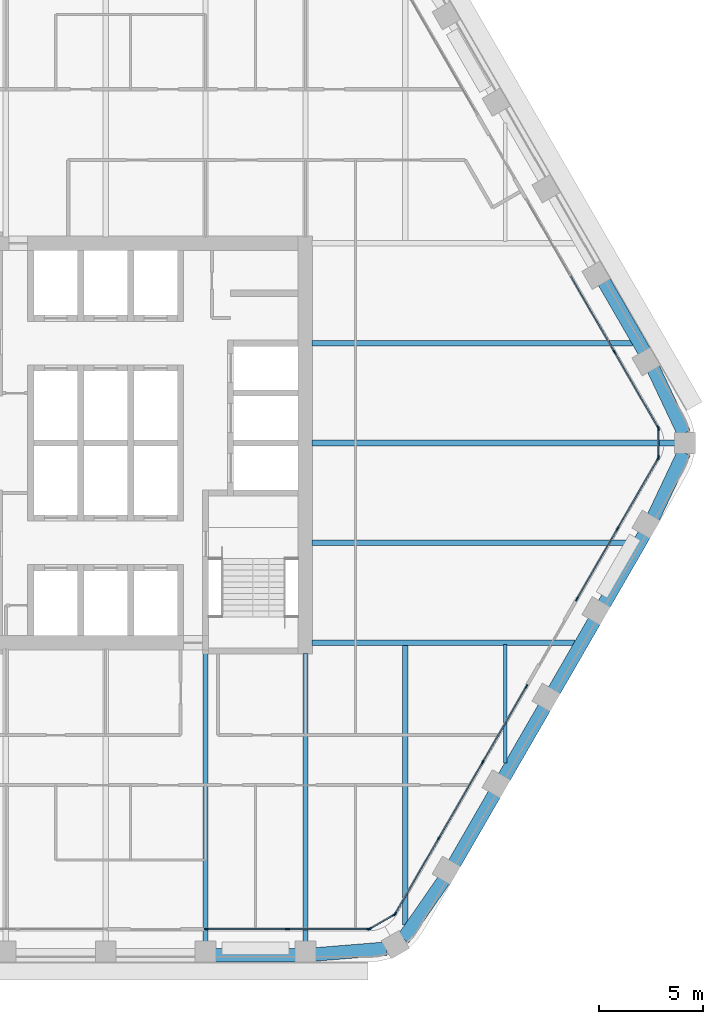
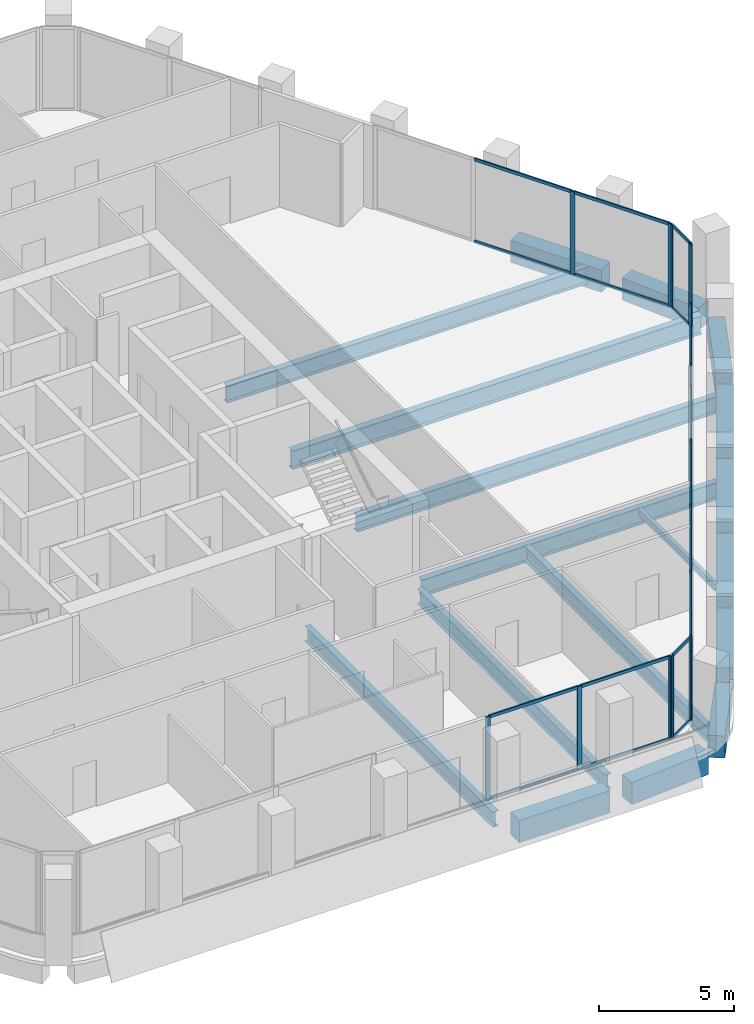
# One storey, part 4 of 15: 38 members, 18 beams, 6 elements without a shape of their own.
"""IFC4 building model written with IfcOpenShell, lengths in metres."""

from ifc_helpers import new_model, si_unit, direction, frame, origin, origin_2d, place, context, subcontext, project, spatial, rectangle, i_section, extrude, material, material_profile, profile_set, type_object, element, aggregate, save


model = new_model("IFC4")

# Units and contexts
model_context = context("Model", 3, precision=1e-05, world=origin(), true_north=direction((0.0, 1.0)))
body_context = subcontext(model_context, "Body", "Model", "MODEL_VIEW")
ifc_project = project(units=[si_unit("LENGTHUNIT", "METRE"), si_unit("AREAUNIT", "SQUARE_METRE"), si_unit("VOLUMEUNIT", "CUBIC_METRE"), si_unit("PLANEANGLEUNIT", "RADIAN"), si_unit("MASSUNIT", "GRAM", prefix="KILO")], contexts=[model_context])

# Site, building, storey
site_placement = place(None, origin())
site = spatial("IfcSite", under=ifc_project, at=site_placement, CompositionType="ELEMENT")
building_placement = place(site_placement, origin())
building = spatial("IfcBuilding", under=site, at=building_placement, Name="Kolab Exchange Tower", CompositionType="ELEMENT")
storey_placement = place(building_placement, frame((0.0, 0.0, 173.89990234375)))
storey = spatial("IfcBuildingStorey", under=building, at=storey_placement, Name="L36", CompositionType="ELEMENT", Elevation=173.89990234375)

# Beams
ifc_material_1 = material(Name="Steel S355", Category="steel")
ifc_material_profile_1 = material_profile(ifc_material_1, i_section(OverallWidth=0.1650390625, OverallDepth=0.31005859375, WebThickness=0.005859375, FlangeThickness=0.009765625, at=origin_2d()), Name="W310X39")
ifc_profile_set_1 = profile_set([ifc_material_profile_1], Name="Steel S355")
beam_type_1 = type_object("IfcBeamType", Name="FLOOR BEAM W310X39", PredefinedType="BEAM", material=ifc_profile_set_1)
beam_1_placement = place(storey_placement, frame((19.199951171875, -15.36767578125, -0.304931640625), z_axis=(0.0, 1.0, 0.0), x_axis=(-1.0, 0.0, 0.0)))
element("IfcBeam", 1, at=beam_1_placement, inside=storey, type_object=beam_type_1, Name="beam/L36/fr/022", PredefinedType="BEAM", context=body_context, shape_type="SweptSolid", body=[
    extrude(i_section(OverallWidth=0.1650390625, OverallDepth=0.31005859375, WebThickness=0.005859375, FlangeThickness=0.009765625, at=origin_2d()), origin(), (0.0, 0.0, 1.0), 5.674072265625),
])
ifc_material_profile_2 = material_profile(ifc_material_1, i_section(OverallWidth=0.25390625, OverallDepth=0.68408203125, WebThickness=0.012451171875, FlangeThickness=0.018798828125, at=origin_2d()), Name="W690X140")
ifc_profile_set_2 = profile_set([ifc_material_profile_2], Name="Steel S355")
beam_type_2 = type_object("IfcBeamType", Name="FLOOR BEAM W690X140", PredefinedType="BEAM", material=ifc_profile_set_2)
for number, where, z_axis, x_axis, name in (
    (2, (4.800048828125, -23.9814453125, -0.491943359375), (0.0, 1.0, 0.0), (-1.0, 0.0, 0.0), "beam/L36/fr/013"),
    (3, (9.60009765625, -23.9814453125, -0.491943359375), (0.0, 1.0, 0.0), (-1.0, 0.0, 0.0), "beam/L36/fr/015"),
):
    element("IfcBeam", number, at=place(storey_placement, frame(where, z_axis=z_axis, x_axis=x_axis)), inside=storey, type_object=beam_type_2, Name=name, PredefinedType="BEAM", context=body_context, shape_type="SweptSolid", body=[
        extrude(i_section(OverallWidth=0.25390625, OverallDepth=0.68408203125, WebThickness=0.012451171875, FlangeThickness=0.018798828125, at=origin_2d()), origin(), (0.0, 0.0, 1.0), 13.871337890625),
    ])
beam_2_placement = place(storey_placement, frame((14.39990234375, -23.15576171875, -0.491943359375), z_axis=(0.0, 1.0, 0.0), x_axis=(-1.0, 0.0, 0.0)))
element("IfcBeam", 4, at=beam_2_placement, inside=storey, type_object=beam_type_2, Name="beam/L36/fr/020", PredefinedType="BEAM", context=body_context, shape_type="SweptSolid", body=[
    extrude(i_section(OverallWidth=0.25390625, OverallDepth=0.68408203125, WebThickness=0.012451171875, FlangeThickness=0.018798828125, at=origin_2d()), origin(), (0.0, 0.0, 1.0), 13.462158203125),
])
ifc_material_profile_3 = material_profile(ifc_material_1, i_section(OverallWidth=0.26708984375, OverallDepth=0.761962890625, WebThickness=0.014404296875, FlangeThickness=0.021484375, at=origin_2d()), Name="W760X173")
ifc_profile_set_3 = profile_set([ifc_material_profile_3], Name="Steel S355")
beam_type_3 = type_object("IfcBeamType", Name="FLOOR BEAM W760X173", PredefinedType="BEAM", material=ifc_profile_set_3)
for number, where, z_axis, x_axis, name in (
    (5, (9.909912109375, -4.800048828125, -0.531005859375), (1.0, 0.0, 0.0), (0.0, 1.0, 0.0), "beam/L36/fr/017"),
    (6, (9.909912109375, 4.800048828125, -0.531005859375), (1.0, 0.0, 0.0), (0.0, 1.0, 0.0), "beam/L36/fr/019"),
):
    element("IfcBeam", number, at=place(storey_placement, frame(where, z_axis=z_axis, x_axis=x_axis)), inside=storey, type_object=beam_type_3, Name=name, PredefinedType="BEAM", context=body_context, shape_type="SweptSolid", body=[
        extrude(i_section(OverallWidth=0.26708984375, OverallDepth=0.761962890625, WebThickness=0.014404296875, FlangeThickness=0.021484375, at=origin_2d()), origin(), (0.0, 0.0, 1.0), 15.408203125),
    ])
ifc_material_profile_4 = material_profile(ifc_material_1, i_section(OverallWidth=0.2919921875, OverallDepth=0.840087890625, WebThickness=0.0146484375, FlangeThickness=0.021728515625, at=origin_2d()), Name="W840X193")
ifc_profile_set_4 = profile_set([ifc_material_profile_4], Name="Steel S355")
beam_type_4 = type_object("IfcBeamType", Name="FLOOR BEAM W840X193", PredefinedType="BEAM", material=ifc_profile_set_4)
beam_3_placement = place(storey_placement, frame((9.909912109375, 0.0, -0.56982421875), z_axis=(1.0, 0.0, 0.0), x_axis=(0.0, 1.0, 0.0)))
element("IfcBeam", 7, at=beam_3_placement, inside=storey, type_object=beam_type_4, Name="beam/L36/fr/018", PredefinedType="BEAM", context=body_context, shape_type="SweptSolid", body=[
    extrude(i_section(OverallWidth=0.2919921875, OverallDepth=0.840087890625, WebThickness=0.0146484375, FlangeThickness=0.021728515625, at=origin_2d()), origin(), (0.0, 0.0, 1.0), 17.466064453125),
])
ifc_material_profile_5 = material_profile(ifc_material_1, i_section(OverallWidth=0.26708984375, OverallDepth=0.761962890625, WebThickness=0.014404296875, FlangeThickness=0.021484375, at=origin_2d()), Name="W760X173")
ifc_profile_set_5 = profile_set([ifc_material_profile_5], Name="Steel S355")
beam_type_5 = type_object("IfcBeamType", Name="FLOOR GIRDER W760X173", PredefinedType="BEAM", material=ifc_profile_set_5)
beam_4_placement = place(storey_placement, frame((9.909912109375, -9.60009765625, -0.531005859375), z_axis=(1.0, 0.0, 0.0), x_axis=(0.0, 1.0, 0.0)))
element("IfcBeam", 8, at=beam_4_placement, inside=storey, type_object=beam_type_5, Name="beam/L36/gd/002", PredefinedType="BEAM", context=body_context, shape_type="SweptSolid", body=[
    extrude(i_section(OverallWidth=0.26708984375, OverallDepth=0.761962890625, WebThickness=0.014404296875, FlangeThickness=0.021484375, at=origin_2d()), origin(), (0.0, 0.0, 1.0), 12.636962890625),
])
ifc_material_2 = material(Name="Concrete C60/75", Category="concrete")
ifc_material_profile_6 = material_profile(ifc_material_2, rectangle(XDim=0.64990234375, YDim=1.0, at=origin_2d()), Name="RC650X1000")
ifc_profile_set_6 = profile_set([ifc_material_profile_6], Name="Concrete C60/75")
beam_type_6 = type_object("IfcBeamType", Name="SPANDREL BEAM 650X1000 C60/75", PredefinedType="BEAM", material=ifc_profile_set_6)
beam_5_placement = place(storey_placement, frame((23.948486328125, 7.7529296875, -0.64990234375), z_axis=(0.499996613652, -0.866027358884, 0.0), x_axis=(0.866027358884, 0.499996613652, 0.0)))
element("IfcBeam", 9, at=beam_5_placement, inside=storey, type_object=beam_type_6, Name="beam/L36/sp/F2-05", PredefinedType="BEAM", context=body_context, shape_type="SweptSolid", body=[
    extrude(rectangle(XDim=0.64990234375, YDim=1.0, at=origin_2d()), origin(), (0.0, 0.0, 1.0), 3.8798828125),
])
for number, where, z_axis, x_axis, name in (
    (10, (26.316162109375, 3.5771484375, -0.64990234375), (0.428177731975, -0.903694544545, 0.0), (0.903694544545, 0.428177731975, 0.0), "beam/L36/sp/F2-06"),
    (11, (27.791259765625, -0.4638671875, -0.64990234375), (-0.428177731975, -0.903694544545, 0.0), (0.903694544545, -0.428177731975, 0.0), "beam/L36/sp/F3-01"),
):
    element("IfcBeam", number, at=place(storey_placement, frame(where, z_axis=z_axis, x_axis=x_axis)), inside=storey, type_object=beam_type_6, Name=name, PredefinedType="BEAM", context=body_context, shape_type="SweptSolid", body=[
        extrude(rectangle(XDim=0.64990234375, YDim=1.0, at=origin_2d()), origin(), (0.0, 0.0, 1.0), 3.445068359375),
    ])
for number, where, z_axis, x_axis, name in (
    (12, (25.888427734375, -4.392822265625, -0.64990234375), (-0.499996613652, -0.866027358884, 0.0), (0.866027358884, -0.499996613652, 0.0), "beam/L36/sp/F3-02"),
    (13, (23.488525390625, -8.5498046875, -0.64990234375), (-0.499996613652, -0.866027358884, 0.0), (0.866027358884, -0.499996613652, 0.0), "beam/L36/sp/F3-03"),
):
    element("IfcBeam", number, at=place(storey_placement, frame(where, z_axis=z_axis, x_axis=x_axis)), inside=storey, type_object=beam_type_6, Name=name, PredefinedType="BEAM", context=body_context, shape_type="SweptSolid", body=[
        extrude(rectangle(XDim=0.64990234375, YDim=1.0, at=origin_2d()), origin(), (0.0, 0.0, 1.0), 3.8798828125),
    ])
beam_6_placement = place(storey_placement, frame((21.088623046875, -12.70654296875, -0.64990234375), z_axis=(-0.50001655835, -0.866015843605, 0.0), x_axis=(0.866015843605, -0.50001655835, 0.0)))
element("IfcBeam", 14, at=beam_6_placement, inside=storey, type_object=beam_type_6, Name="beam/L36/sp/F3-04", PredefinedType="BEAM", context=body_context, shape_type="SweptSolid", body=[
    extrude(rectangle(XDim=0.64990234375, YDim=1.0, at=origin_2d()), origin(), (0.0, 0.0, 1.0), 3.880126953125),
])
beam_7_placement = place(storey_placement, frame((18.6884765625, -16.863525390625, -0.64990234375), z_axis=(-0.499996613652, -0.866027358884, 0.0), x_axis=(0.866027358884, -0.499996613652, 0.0)))
element("IfcBeam", 15, at=beam_7_placement, inside=storey, type_object=beam_type_6, Name="beam/L36/sp/F3-05", PredefinedType="BEAM", context=body_context, shape_type="SweptSolid", body=[
    extrude(rectangle(XDim=0.64990234375, YDim=1.0, at=origin_2d()), origin(), (0.0, 0.0, 1.0), 3.8798828125),
])
for number, where, z_axis, x_axis, name in (
    (16, (16.256103515625, -21.001953125, -0.64990234375), (-0.568572281073, -0.822633309073, 0.0), (0.822633309073, -0.568572281073, 0.0), "beam/L36/sp/F3-06"),
    (17, (13.493896484375, -24.2998046875, -0.64990234375), (-0.996708497182, -0.081068931445, 0.0), (0.081068931445, -0.996708497182, 0.0), "beam/L36/sp/F4-01"),
):
    element("IfcBeam", number, at=place(storey_placement, frame(where, z_axis=z_axis, x_axis=x_axis)), inside=storey, type_object=beam_type_6, Name=name, PredefinedType="BEAM", context=body_context, shape_type="SweptSolid", body=[
        extrude(rectangle(XDim=0.64990234375, YDim=1.0, at=origin_2d()), origin(), (0.0, 0.0, 1.0), 3.445068359375),
    ])
beam_8_placement = place(storey_placement, frame((9.139892578125, -24.616455078125, -0.64990234375), z_axis=(-1.0, 0.0, 0.0), x_axis=(0.0, -1.0, 0.0)))
element("IfcBeam", 18, at=beam_8_placement, inside=storey, type_object=beam_type_6, Name="beam/L36/sp/F4-02", PredefinedType="BEAM", context=body_context, shape_type="SweptSolid", body=[
    extrude(rectangle(XDim=0.64990234375, YDim=1.0, at=origin_2d()), origin(), (0.0, 0.0, 1.0), 3.8798828125),
])

# Curtain wall, members
ifc_material_3 = material(Name="Aluminium EN AW-6063 T6", Category="aluminium")
curtain_wall_type = type_object("IfcCurtainWallType", Name="UNITISED UPPER MID ZONE CURTAIN WALL", PredefinedType="NOTDEFINED", material=ifc_material_3)
curtain_wall_1_placement = place(storey_placement, origin())
curtain_wall_1 = element("IfcCurtainWall", 19, at=curtain_wall_1_placement, inside=storey, type_object=curtain_wall_type, Name="cw/L36/F2-2", PredefinedType="NOTDEFINED")
ifc_material_profile_7 = material_profile(ifc_material_3, rectangle(XDim=0.06005859375, YDim=0.199951171875, at=origin_2d()), Name="RECT 60X200")
ifc_profile_set_7 = profile_set([ifc_material_profile_7], Name="Aluminium EN AW-6063 T6")
member_type_1 = type_object("IfcMemberType", Name="UNITISED UPPER MID ZONE MULLION 60 X 200", PredefinedType="MULLION", material=ifc_profile_set_7)
member_1_placement = place(storey_placement, frame((24.454345703125, 4.366943359375, 0.0), z_axis=(0.0, 0.0, 1.0), x_axis=(0.866025427826, 0.499999958358, 0.0)))
member_1 = element("IfcMember", 20, at=member_1_placement, type_object=member_type_1, Name="CW3 mullion 3", PredefinedType="MULLION", context=body_context, shape_type="SweptSolid", body=[
    extrude(rectangle(XDim=0.06005859375, YDim=0.199951171875, at=origin_2d()), origin(), (0.0, 0.0, 1.0), 3.75),
])
member_2_placement = place(storey_placement, frame((26.550537109375, 0.736083984375, 0.0), z_axis=(0.0, 0.0, 1.0), x_axis=(0.866025427826, 0.499999958358, 0.0)))
member_2 = element("IfcMember", 21, at=member_2_placement, type_object=member_type_1, Name="CW3 mullion 4", PredefinedType="MULLION", context=body_context, shape_type="SweptSolid", body=[
    extrude(rectangle(XDim=0.06005859375, YDim=0.199951171875, at=origin_2d()), origin(), (0.0, 0.0, 1.0), 3.75),
])

curtain_wall_2_placement = place(storey_placement, origin())
curtain_wall_2 = element("IfcCurtainWall", 22, at=curtain_wall_2_placement, inside=storey, type_object=curtain_wall_type, Name="cw/L36/F3-1", PredefinedType="NOTDEFINED")
member_3_placement = place(storey_placement, frame((26.550537109375, -0.736083984375, 0.0), z_axis=(0.0, 0.0, 1.0), x_axis=(0.866025440524, -0.499999936366, 0.0)))
member_3 = element("IfcMember", 23, at=member_3_placement, type_object=member_type_1, Name="CW3 mullion 1", PredefinedType="MULLION", context=body_context, shape_type="SweptSolid", body=[
    extrude(rectangle(XDim=0.06005859375, YDim=0.199951171875, at=origin_2d()), origin(), (0.0, 0.0, 1.0), 3.75),
])
member_4_placement = place(storey_placement, frame((24.5986328125, -4.116943359375, 0.0), z_axis=(0.0, 0.0, 1.0), x_axis=(0.866025440524, -0.499999936366, 0.0)))
member_4 = element("IfcMember", 24, at=member_4_placement, type_object=member_type_1, Name="CW3 mullion 2", PredefinedType="MULLION", context=body_context, shape_type="SweptSolid", body=[
    extrude(rectangle(XDim=0.06005859375, YDim=0.199951171875, at=origin_2d()), origin(), (0.0, 0.0, 1.0), 3.75),
])
member_5_placement = place(storey_placement, frame((22.646728515625, -7.497802734375, 0.0), z_axis=(0.0, 0.0, 1.0), x_axis=(0.866025440524, -0.499999936366, 0.0)))
member_5 = element("IfcMember", 25, at=member_5_placement, type_object=member_type_1, Name="CW3 mullion 3", PredefinedType="MULLION", context=body_context, shape_type="SweptSolid", body=[
    extrude(rectangle(XDim=0.06005859375, YDim=0.199951171875, at=origin_2d()), origin(), (0.0, 0.0, 1.0), 3.75),
])

curtain_wall_3_placement = place(storey_placement, origin())
curtain_wall_3 = element("IfcCurtainWall", 26, at=curtain_wall_3_placement, inside=storey, type_object=curtain_wall_type, Name="cw/L36/F3-2", PredefinedType="NOTDEFINED")
member_6_placement = place(storey_placement, frame((20.216796875, -11.706787109375, 0.0), z_axis=(0.0, 0.0, 1.0), x_axis=(0.866025393644, -0.500000017564, 0.0)))
member_6 = element("IfcMember", 27, at=member_6_placement, type_object=member_type_1, Name="CW3 mullion 1", PredefinedType="MULLION", context=body_context, shape_type="SweptSolid", body=[
    extrude(rectangle(XDim=0.06005859375, YDim=0.199951171875, at=origin_2d()), origin(), (0.0, 0.0, 1.0), 3.75),
])
member_7_placement = place(storey_placement, frame((18.120361328125, -15.337646484375, 0.0), z_axis=(0.0, 0.0, 1.0), x_axis=(0.866025393644, -0.500000017564, 0.0)))
member_7 = element("IfcMember", 28, at=member_7_placement, type_object=member_type_1, Name="CW3 mullion 2", PredefinedType="MULLION", context=body_context, shape_type="SweptSolid", body=[
    extrude(rectangle(XDim=0.06005859375, YDim=0.199951171875, at=origin_2d()), origin(), (0.0, 0.0, 1.0), 3.75),
])
member_8_placement = place(storey_placement, frame((16.009033203125, -18.99462890625, 0.0), z_axis=(0.0, 0.0, 1.0), x_axis=(0.866025393644, -0.500000017564, 0.0)))
member_8 = element("IfcMember", 29, at=member_8_placement, type_object=member_type_1, Name="CW3 mullion 3", PredefinedType="MULLION", context=body_context, shape_type="SweptSolid", body=[
    extrude(rectangle(XDim=0.06005859375, YDim=0.199951171875, at=origin_2d()), origin(), (0.0, 0.0, 1.0), 3.75),
])
member_9_placement = place(storey_placement, frame((13.91259765625, -22.62548828125, 0.0), z_axis=(0.0, 0.0, 1.0), x_axis=(0.866025393644, -0.500000017564, 0.0)))
member_9 = element("IfcMember", 30, at=member_9_placement, type_object=member_type_1, Name="CW3 mullion 4", PredefinedType="MULLION", context=body_context, shape_type="SweptSolid", body=[
    extrude(rectangle(XDim=0.06005859375, YDim=0.199951171875, at=origin_2d()), origin(), (0.0, 0.0, 1.0), 3.75),
])

curtain_wall_4_placement = place(storey_placement, origin())
curtain_wall_4 = element("IfcCurtainWall", 31, at=curtain_wall_4_placement, inside=storey, type_object=curtain_wall_type, Name="cw/L36/F4-1", PredefinedType="NOTDEFINED")
member_10_placement = place(storey_placement, frame((12.637939453125, -23.361572265625, 0.0), z_axis=(0.0, 0.0, 1.0), x_axis=(0.0, -1.0, 0.0)))
member_10 = element("IfcMember", 32, at=member_10_placement, type_object=member_type_1, Name="CW3 mullion 1", PredefinedType="MULLION", context=body_context, shape_type="SweptSolid", body=[
    extrude(rectangle(XDim=0.06005859375, YDim=0.199951171875, at=origin_2d()), origin(), (0.0, 0.0, 1.0), 3.75),
])
member_11_placement = place(storey_placement, frame((8.73388671875, -23.361572265625, 0.0), z_axis=(0.0, 0.0, 1.0), x_axis=(0.0, -1.0, 0.0)))
member_11 = element("IfcMember", 33, at=member_11_placement, type_object=member_type_1, Name="CW3 mullion 2", PredefinedType="MULLION", context=body_context, shape_type="SweptSolid", body=[
    extrude(rectangle(XDim=0.06005859375, YDim=0.199951171875, at=origin_2d()), origin(), (0.0, 0.0, 1.0), 3.75),
])
member_12_placement = place(storey_placement, frame((4.830078125, -23.361572265625, 0.0), z_axis=(0.0, 0.0, 1.0), x_axis=(0.0, -1.0, 0.0)))
member_12 = element("IfcMember", 34, at=member_12_placement, type_object=member_type_1, Name="CW3 mullion 3", PredefinedType="MULLION", context=body_context, shape_type="SweptSolid", body=[
    extrude(rectangle(XDim=0.06005859375, YDim=0.199951171875, at=origin_2d()), origin(), (0.0, 0.0, 1.0), 3.75),
])

curtain_wall_5_placement = place(storey_placement, origin())
curtain_wall_5 = element("IfcCurtainWall", 35, at=curtain_wall_5_placement, inside=storey, type_object=curtain_wall_type, Name="cw/L36/F2F3-corner", PredefinedType="NOTDEFINED")
member_13_placement = place(storey_placement, frame((26.565673828125, 0.679931640625, 0.0), z_axis=(0.0, 0.0, 1.0), x_axis=(1.0, 0.0, 0.0)))
member_13 = element("IfcMember", 36, at=member_13_placement, type_object=member_type_1, Name="CW3 mullion 1", PredefinedType="MULLION", context=body_context, shape_type="SweptSolid", body=[
    extrude(rectangle(XDim=0.06005859375, YDim=0.199951171875, at=origin_2d()), origin(), (0.0, 0.0, 1.0), 3.75),
])
member_14_placement = place(storey_placement, frame((26.565673828125, -0.679931640625, 0.0), z_axis=(0.0, 0.0, 1.0), x_axis=(1.0, 0.0, 0.0)))
member_14 = element("IfcMember", 37, at=member_14_placement, type_object=member_type_1, Name="CW3 mullion 2", PredefinedType="MULLION", context=body_context, shape_type="SweptSolid", body=[
    extrude(rectangle(XDim=0.06005859375, YDim=0.199951171875, at=origin_2d()), origin(), (0.0, 0.0, 1.0), 3.75),
])

curtain_wall_6_placement = place(storey_placement, origin())
curtain_wall_6 = element("IfcCurtainWall", 38, at=curtain_wall_6_placement, inside=storey, type_object=curtain_wall_type, Name="cw/L36/F3F4-corner", PredefinedType="NOTDEFINED")
member_15_placement = place(storey_placement, frame((13.871826171875, -22.66650390625, 0.0), z_axis=(0.0, 0.0, 1.0), x_axis=(0.50000002237, -0.866025390869, 0.0)))
member_15 = element("IfcMember", 39, at=member_15_placement, type_object=member_type_1, Name="CW3 mullion 1", PredefinedType="MULLION", context=body_context, shape_type="SweptSolid", body=[
    extrude(rectangle(XDim=0.06005859375, YDim=0.199951171875, at=origin_2d()), origin(), (0.0, 0.0, 1.0), 3.75),
])
member_16_placement = place(storey_placement, frame((12.69384765625, -23.346435546875, 0.0), z_axis=(0.0, 0.0, 1.0), x_axis=(0.50000002237, -0.866025390869, 0.0)))
member_16 = element("IfcMember", 40, at=member_16_placement, type_object=member_type_1, Name="CW3 mullion 2", PredefinedType="MULLION", context=body_context, shape_type="SweptSolid", body=[
    extrude(rectangle(XDim=0.06005859375, YDim=0.199951171875, at=origin_2d()), origin(), (0.0, 0.0, 1.0), 3.75),
])

# Member
ifc_material_profile_8 = material_profile(ifc_material_3, rectangle(XDim=0.06005859375, YDim=0.139892578125, at=origin_2d()), Name="RECT 60X140")
ifc_profile_set_8 = profile_set([ifc_material_profile_8], Name="Aluminium EN AW-6063 T6")
member_type_2 = type_object("IfcMemberType", Name="UNITISED UPPER MID ZONE TRANSOM 60 X 140", PredefinedType="USERDEFINED", material=ifc_profile_set_8)
member_17_placement = place(storey_placement, frame((22.35791015625, 7.997802734375, 0.030029296875), z_axis=(0.49999322259, -0.866029316688, 0.0), x_axis=(0.866029316688, 0.49999322259, 0.0)))
member_17 = element("IfcMember", 41, at=member_17_placement, type_object=member_type_2, Name="CW3 transom 2.1", ObjectType="TRANSOM", PredefinedType="USERDEFINED", context=body_context, shape_type="SweptSolid", body=[
    extrude(rectangle(XDim=0.06005859375, YDim=0.139892578125, at=origin_2d()), origin(), (0.0, 0.0, 1.0), 4.16259765625),
])

member_18_placement = place(storey_placement, frame((22.35791015625, 7.997802734375, 3.72021484375), z_axis=(0.49999322259, -0.866029316688, 0.0), x_axis=(0.866029316688, 0.49999322259, 0.0)))
member_18 = element("IfcMember", 42, at=member_18_placement, type_object=member_type_2, Name="CW3 transom 2.2", ObjectType="TRANSOM", PredefinedType="USERDEFINED", context=body_context, shape_type="SweptSolid", body=[
    extrude(rectangle(XDim=0.06005859375, YDim=0.139892578125, at=origin_2d()), origin(), (0.0, 0.0, 1.0), 4.16259765625),
])

member_19_placement = place(storey_placement, frame((24.46923828125, 4.3408203125, 0.030029296875), z_axis=(0.500027577057, -0.866009481578, 0.0), x_axis=(0.866009481578, 0.500027577057, 0.0)))
member_19 = element("IfcMember", 43, at=member_19_placement, type_object=member_type_2, Name="CW3 transom 3.1", ObjectType="TRANSOM", PredefinedType="USERDEFINED", context=body_context, shape_type="SweptSolid", body=[
    extrude(rectangle(XDim=0.06005859375, YDim=0.139892578125, at=origin_2d()), origin(), (0.0, 0.0, 1.0), 4.132568359375),
])

member_20_placement = place(storey_placement, frame((24.46923828125, 4.3408203125, 3.72021484375), z_axis=(0.500027577057, -0.866009481578, 0.0), x_axis=(0.866009481578, 0.500027577057, 0.0)))
member_20 = element("IfcMember", 44, at=member_20_placement, type_object=member_type_2, Name="CW3 transom 3.2", ObjectType="TRANSOM", PredefinedType="USERDEFINED", context=body_context, shape_type="SweptSolid", body=[
    extrude(rectangle(XDim=0.06005859375, YDim=0.139892578125, at=origin_2d()), origin(), (0.0, 0.0, 1.0), 4.132568359375),
])

aggregate(curtain_wall_1, [member_1, member_2, member_17, member_18, member_19, member_20])

member_21_placement = place(storey_placement, frame((26.53564453125, -0.761962890625, 0.030029296875), z_axis=(-0.499991857942, -0.866030104553, 0.0), x_axis=(0.866030104553, -0.499991857942, 0.0)))
member_21 = element("IfcMember", 45, at=member_21_placement, type_object=member_type_2, Name="CW3 transom 1.1", ObjectType="TRANSOM", PredefinedType="USERDEFINED", context=body_context, shape_type="SweptSolid", body=[
    extrude(rectangle(XDim=0.06005859375, YDim=0.139892578125, at=origin_2d()), origin(), (0.0, 0.0, 1.0), 3.84375),
])

member_22_placement = place(storey_placement, frame((26.53564453125, -0.761962890625, 3.72021484375), z_axis=(-0.499991857942, -0.866030104553, 0.0), x_axis=(0.866030104553, -0.499991857942, 0.0)))
member_22 = element("IfcMember", 46, at=member_22_placement, type_object=member_type_2, Name="CW3 transom 1.2", ObjectType="TRANSOM", PredefinedType="USERDEFINED", context=body_context, shape_type="SweptSolid", body=[
    extrude(rectangle(XDim=0.06005859375, YDim=0.139892578125, at=origin_2d()), origin(), (0.0, 0.0, 1.0), 3.84375),
])

member_23_placement = place(storey_placement, frame((24.583740234375, -4.142822265625, 0.030029296875), z_axis=(-0.500011990396, -0.866018481016, 0.0), x_axis=(0.866018481016, -0.500011990396, 0.0)))
member_23 = element("IfcMember", 47, at=member_23_placement, type_object=member_type_2, Name="CW3 transom 2.1", ObjectType="TRANSOM", PredefinedType="USERDEFINED", context=body_context, shape_type="SweptSolid", body=[
    extrude(rectangle(XDim=0.06005859375, YDim=0.139892578125, at=origin_2d()), origin(), (0.0, 0.0, 1.0), 3.84423828125),
])

member_24_placement = place(storey_placement, frame((24.583740234375, -4.142822265625, 3.72021484375), z_axis=(-0.500011990396, -0.866018481016, 0.0), x_axis=(0.866018481016, -0.500011990396, 0.0)))
member_24 = element("IfcMember", 48, at=member_24_placement, type_object=member_type_2, Name="CW3 transom 2.2", ObjectType="TRANSOM", PredefinedType="USERDEFINED", context=body_context, shape_type="SweptSolid", body=[
    extrude(rectangle(XDim=0.06005859375, YDim=0.139892578125, at=origin_2d()), origin(), (0.0, 0.0, 1.0), 3.84423828125),
])

aggregate(curtain_wall_2, [member_3, member_4, member_5, member_21, member_22, member_23, member_24])

member_25_placement = place(storey_placement, frame((20.20166015625, -11.732666015625, 0.030029296875), z_axis=(-0.500001996123, -0.866024251319, 0.0), x_axis=(0.866024251319, -0.500001996123, 0.0)))
member_25 = element("IfcMember", 49, at=member_25_placement, type_object=member_type_2, Name="CW3 transom 1.1", ObjectType="TRANSOM", PredefinedType="USERDEFINED", context=body_context, shape_type="SweptSolid", body=[
    extrude(rectangle(XDim=0.06005859375, YDim=0.139892578125, at=origin_2d()), origin(), (0.0, 0.0, 1.0), 4.1328125),
])

member_26_placement = place(storey_placement, frame((20.20166015625, -11.732666015625, 3.72021484375), z_axis=(-0.500001996123, -0.866024251319, 0.0), x_axis=(0.866024251319, -0.500001996123, 0.0)))
member_26 = element("IfcMember", 50, at=member_26_placement, type_object=member_type_2, Name="CW3 transom 1.2", ObjectType="TRANSOM", PredefinedType="USERDEFINED", context=body_context, shape_type="SweptSolid", body=[
    extrude(rectangle(XDim=0.06005859375, YDim=0.139892578125, at=origin_2d()), origin(), (0.0, 0.0, 1.0), 4.1328125),
])

member_27_placement = place(storey_placement, frame((18.10546875, -15.36376953125, 0.030029296875), z_axis=(-0.500037208726, -0.86600392025, 0.0), x_axis=(0.86600392025, -0.500037208726, 0.0)))
member_27 = element("IfcMember", 51, at=member_27_placement, type_object=member_type_2, Name="CW3 transom 2.1", ObjectType="TRANSOM", PredefinedType="USERDEFINED", context=body_context, shape_type="SweptSolid", body=[
    extrude(rectangle(XDim=0.06005859375, YDim=0.139892578125, at=origin_2d()), origin(), (0.0, 0.0, 1.0), 4.162841796875),
])

member_28_placement = place(storey_placement, frame((18.10546875, -15.36376953125, 3.72021484375), z_axis=(-0.500037208726, -0.86600392025, 0.0), x_axis=(0.86600392025, -0.500037208726, 0.0)))
member_28 = element("IfcMember", 52, at=member_28_placement, type_object=member_type_2, Name="CW3 transom 2.2", ObjectType="TRANSOM", PredefinedType="USERDEFINED", context=body_context, shape_type="SweptSolid", body=[
    extrude(rectangle(XDim=0.06005859375, YDim=0.139892578125, at=origin_2d()), origin(), (0.0, 0.0, 1.0), 4.162841796875),
])

member_29_placement = place(storey_placement, frame((15.994140625, -19.0205078125, 0.030029296875), z_axis=(-0.500001996123, -0.866024251319, 0.0), x_axis=(0.866024251319, -0.500001996123, 0.0)))
member_29 = element("IfcMember", 53, at=member_29_placement, type_object=member_type_2, Name="CW3 transom 3.1", ObjectType="TRANSOM", PredefinedType="USERDEFINED", context=body_context, shape_type="SweptSolid", body=[
    extrude(rectangle(XDim=0.06005859375, YDim=0.139892578125, at=origin_2d()), origin(), (0.0, 0.0, 1.0), 4.1328125),
])

member_30_placement = place(storey_placement, frame((15.994140625, -19.0205078125, 3.72021484375), z_axis=(-0.500001996123, -0.866024251319, 0.0), x_axis=(0.866024251319, -0.500001996123, 0.0)))
member_30 = element("IfcMember", 54, at=member_30_placement, type_object=member_type_2, Name="CW3 transom 3.2", ObjectType="TRANSOM", PredefinedType="USERDEFINED", context=body_context, shape_type="SweptSolid", body=[
    extrude(rectangle(XDim=0.06005859375, YDim=0.139892578125, at=origin_2d()), origin(), (0.0, 0.0, 1.0), 4.1328125),
])

aggregate(curtain_wall_3, [member_6, member_7, member_8, member_9, member_25, member_26, member_27, member_28, member_29, member_30])

member_31_placement = place(storey_placement, frame((12.60791015625, -23.361572265625, 0.030029296875), z_axis=(-1.0, 0.0, 0.0), x_axis=(0.0, -1.0, 0.0)))
member_31 = element("IfcMember", 55, at=member_31_placement, type_object=member_type_2, Name="CW3 transom 1.1", ObjectType="TRANSOM", PredefinedType="USERDEFINED", context=body_context, shape_type="SweptSolid", body=[
    extrude(rectangle(XDim=0.06005859375, YDim=0.139892578125, at=origin_2d()), origin(), (0.0, 0.0, 1.0), 3.843994140625),
])

member_32_placement = place(storey_placement, frame((12.60791015625, -23.361572265625, 3.72021484375), z_axis=(-1.0, 0.0, 0.0), x_axis=(0.0, -1.0, 0.0)))
member_32 = element("IfcMember", 56, at=member_32_placement, type_object=member_type_2, Name="CW3 transom 1.2", ObjectType="TRANSOM", PredefinedType="USERDEFINED", context=body_context, shape_type="SweptSolid", body=[
    extrude(rectangle(XDim=0.06005859375, YDim=0.139892578125, at=origin_2d()), origin(), (0.0, 0.0, 1.0), 3.843994140625),
])

member_33_placement = place(storey_placement, frame((8.703857421875, -23.361572265625, 0.030029296875), z_axis=(-1.0, 0.0, 0.0), x_axis=(0.0, -1.0, 0.0)))
member_33 = element("IfcMember", 57, at=member_33_placement, type_object=member_type_2, Name="CW3 transom 2.1", ObjectType="TRANSOM", PredefinedType="USERDEFINED", context=body_context, shape_type="SweptSolid", body=[
    extrude(rectangle(XDim=0.06005859375, YDim=0.139892578125, at=origin_2d()), origin(), (0.0, 0.0, 1.0), 3.84375),
])

member_34_placement = place(storey_placement, frame((8.703857421875, -23.361572265625, 3.72021484375), z_axis=(-1.0, 0.0, 0.0), x_axis=(0.0, -1.0, 0.0)))
member_34 = element("IfcMember", 58, at=member_34_placement, type_object=member_type_2, Name="CW3 transom 2.2", ObjectType="TRANSOM", PredefinedType="USERDEFINED", context=body_context, shape_type="SweptSolid", body=[
    extrude(rectangle(XDim=0.06005859375, YDim=0.139892578125, at=origin_2d()), origin(), (0.0, 0.0, 1.0), 3.84375),
])

aggregate(curtain_wall_4, [member_10, member_11, member_12, member_31, member_32, member_33, member_34])

member_35_placement = place(storey_placement, frame((26.565673828125, 0.64990234375, 0.030029296875), z_axis=(0.0, -1.0, 0.0), x_axis=(1.0, 0.0, 0.0)))
member_35 = element("IfcMember", 59, at=member_35_placement, type_object=member_type_2, Name="CW3 transom 1.1", ObjectType="TRANSOM", PredefinedType="USERDEFINED", context=body_context, shape_type="SweptSolid", body=[
    extrude(rectangle(XDim=0.06005859375, YDim=0.139892578125, at=origin_2d()), origin(), (0.0, 0.0, 1.0), 1.2998046875),
])

member_36_placement = place(storey_placement, frame((26.565673828125, 0.64990234375, 3.72021484375), z_axis=(0.0, -1.0, 0.0), x_axis=(1.0, 0.0, 0.0)))
member_36 = element("IfcMember", 60, at=member_36_placement, type_object=member_type_2, Name="CW3 transom 1.2", ObjectType="TRANSOM", PredefinedType="USERDEFINED", context=body_context, shape_type="SweptSolid", body=[
    extrude(rectangle(XDim=0.06005859375, YDim=0.139892578125, at=origin_2d()), origin(), (0.0, 0.0, 1.0), 1.2998046875),
])

aggregate(curtain_wall_5, [member_13, member_14, member_35, member_36])

member_37_placement = place(storey_placement, frame((13.845703125, -22.681640625, 0.030029296875), z_axis=(-0.86603858612, -0.49997716683, 0.0), x_axis=(0.49997716683, -0.86603858612, 0.0)))
member_37 = element("IfcMember", 61, at=member_37_placement, type_object=member_type_2, Name="CW3 transom 1.1", ObjectType="TRANSOM", PredefinedType="USERDEFINED", context=body_context, shape_type="SweptSolid", body=[
    extrude(rectangle(XDim=0.06005859375, YDim=0.139892578125, at=origin_2d()), origin(), (0.0, 0.0, 1.0), 1.2998046875),
])

member_38_placement = place(storey_placement, frame((13.845703125, -22.681640625, 3.72021484375), z_axis=(-0.86603858612, -0.49997716683, 0.0), x_axis=(0.49997716683, -0.86603858612, 0.0)))
member_38 = element("IfcMember", 62, at=member_38_placement, type_object=member_type_2, Name="CW3 transom 1.2", ObjectType="TRANSOM", PredefinedType="USERDEFINED", context=body_context, shape_type="SweptSolid", body=[
    extrude(rectangle(XDim=0.06005859375, YDim=0.139892578125, at=origin_2d()), origin(), (0.0, 0.0, 1.0), 1.2998046875),
])

aggregate(curtain_wall_6, [member_15, member_16, member_37, member_38])

save(model, "model.ifc")
